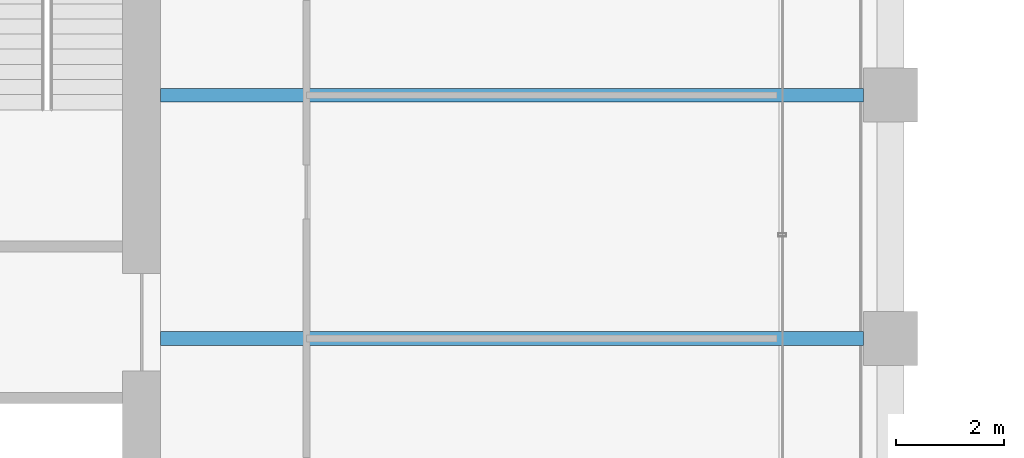
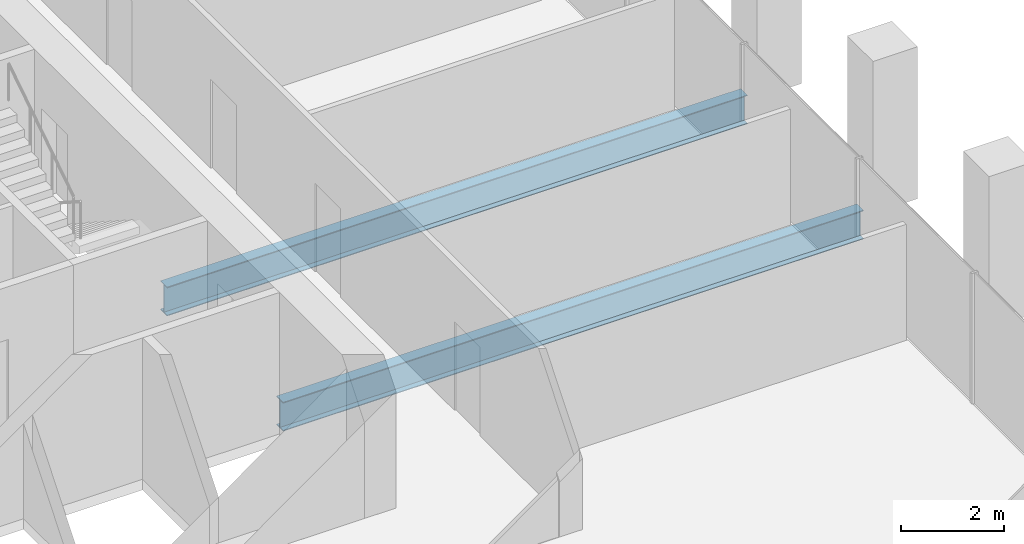
# One storey, part 16 of 47: 2 beams.
"""IFC4 building model written with IfcOpenShell, lengths in metres."""

from ifc_helpers import new_model, si_unit, direction, frame, origin, origin_2d, place, context, subcontext, project, spatial, i_section, extrude, material, material_profile, profile_set, type_object, element, save


model = new_model("IFC4")

# Units and contexts
model_context = context("Model", 3, precision=1e-05, world=origin(), true_north=direction((0.0, 1.0)))
body_context = subcontext(model_context, "Body", "Model", "MODEL_VIEW")
ifc_project = project(units=[si_unit("LENGTHUNIT", "METRE"), si_unit("AREAUNIT", "SQUARE_METRE"), si_unit("VOLUMEUNIT", "CUBIC_METRE"), si_unit("PLANEANGLEUNIT", "RADIAN"), si_unit("MASSUNIT", "GRAM", prefix="KILO")], contexts=[model_context])

# Site, building, storey
site_placement = place(None, origin())
site = spatial("IfcSite", under=ifc_project, at=site_placement, CompositionType="ELEMENT")
building_placement = place(site_placement, origin())
building = spatial("IfcBuilding", under=site, at=building_placement, Name="Altepetl Exchange Towers", CompositionType="ELEMENT")
storey_placement = place(building_placement, frame((0.0, 0.0, 99.199951171875)))
storey = spatial("IfcBuildingStorey", under=building, at=storey_placement, Name="L24", CompositionType="ELEMENT", Elevation=99.199951171875)

# Beams
ifc_material = material(Name="Steel S355", Category="steel")
ifc_material_profile = material_profile(ifc_material, i_section(OverallWidth=0.25390625, OverallDepth=0.68408203125, WebThickness=0.012451171875, FlangeThickness=0.018798828125, at=origin_2d()), Name="W27X94")
ifc_profile_set = profile_set([ifc_material_profile], Name="Steel S355")
beam_type = type_object("IfcBeamType", Name="Floor beam W27X94", PredefinedType="BEAM", material=ifc_profile_set)
for number, where, z_axis, x_axis, name in (
    (1, (58.5, 45.0, -0.491943359375), (1.0, 0.0, 0.0), (0.0, 1.0, 0.0), "bm:A:L24:009"),
    (2, (58.5, 49.5, -0.491943359375), (1.0, 0.0, 0.0), (0.0, 1.0, 0.0), "bm:A:L24:010"),
):
    element("IfcBeam", number, at=place(storey_placement, frame(where, z_axis=z_axis, x_axis=x_axis)), inside=storey, type_object=beam_type, Name=name, PredefinedType="BEAM", context=body_context, shape_type="SweptSolid", body=[
        extrude(i_section(OverallWidth=0.25390625, OverallDepth=0.68408203125, WebThickness=0.012451171875, FlangeThickness=0.018798828125, at=origin_2d()), origin(), (0.0, 0.0, 1.0), 13.0),
    ])

save(model, "model.ifc")
